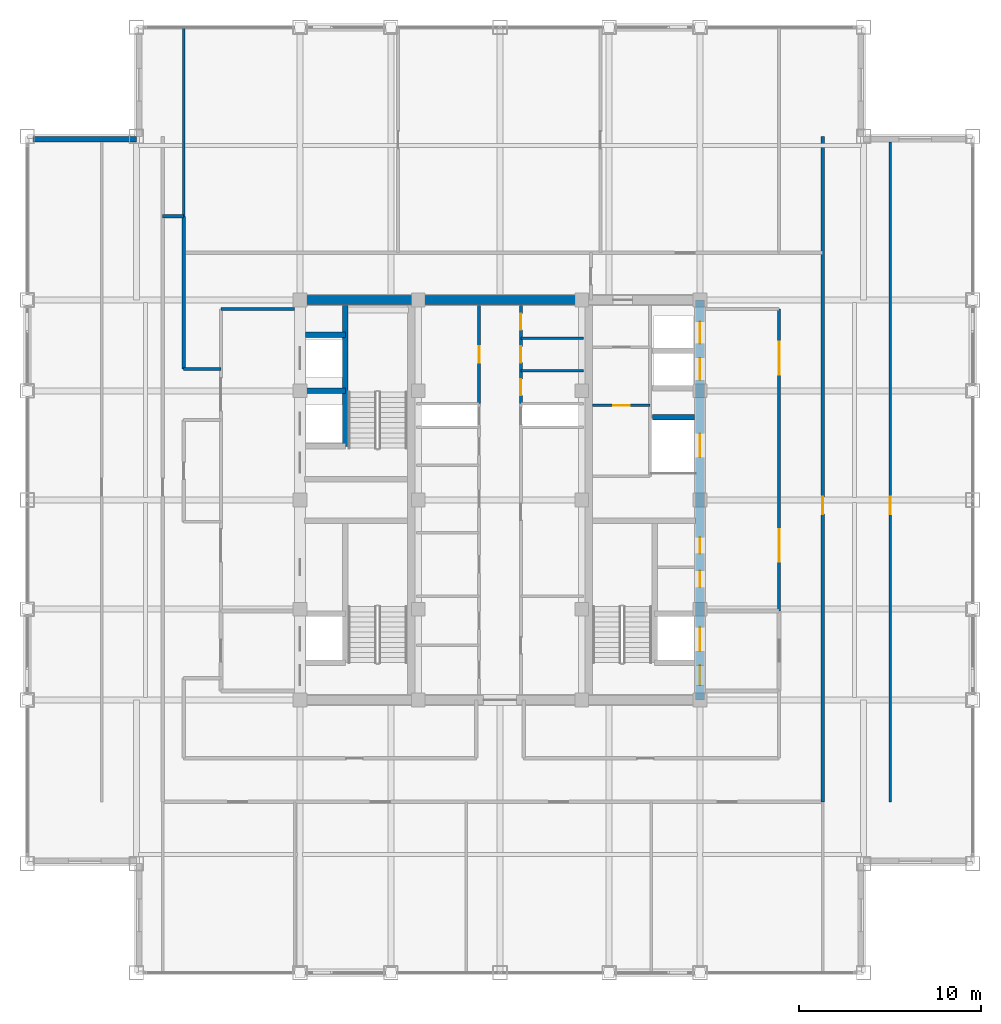
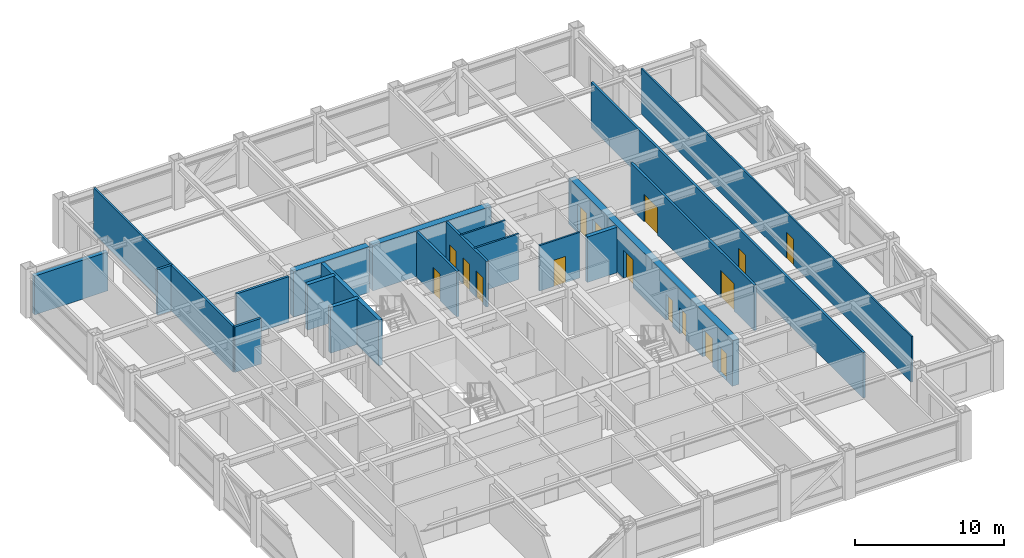
# One storey, part 26 of 28: 21 walls, 16 doors, 16 openings.
"""IFC4 building model written with IfcOpenShell, lengths in metres."""

from ifc_helpers import new_model, si_unit, direction, frame, frame_2d, origin, place, context, subcontext, project, spatial, rectangle, extrude, source, transform, mapped, material, layer, layer_set, type_object, element, fill, save


model = new_model("IFC4")

# Units and contexts
model_context = context("Model", 3, precision=1e-05, world=origin(), true_north=direction((0.0, 1.0)))
body_context = subcontext(model_context, "Body", "Model", "MODEL_VIEW")
ifc_project = project(units=[si_unit("LENGTHUNIT", "METRE"), si_unit("AREAUNIT", "SQUARE_METRE"), si_unit("VOLUMEUNIT", "CUBIC_METRE"), si_unit("PLANEANGLEUNIT", "RADIAN"), si_unit("MASSUNIT", "GRAM", prefix="KILO")], contexts=[model_context])

# Site, building, storey
site_placement = place(None, origin())
site = spatial("IfcSite", under=ifc_project, at=site_placement, CompositionType="ELEMENT")
building_placement = place(site_placement, origin())
building = spatial("IfcBuilding", under=site, at=building_placement, Name="Khorayat Bourse Tower", CompositionType="ELEMENT")
storey_placement = place(building_placement, frame((0.0, 0.0, 338.300048828125)))
storey = spatial("IfcBuildingStorey", under=building, at=storey_placement, Name="L80", CompositionType="ELEMENT", Elevation=338.300048828125)

# Wall, openings, doors
ifc_material_1 = material(Name="Concrete C52/65", Category="concrete")
ifc_layer_1 = layer(ifc_material_1, 0.5)
ifc_layer_set_1 = layer_set([ifc_layer_1], Name="Concrete C52/65")
wall_type_1 = type_object("IfcWallType", Name="WAL-CORE-500", PredefinedType="SHEAR", material=ifc_layer_set_1)
shared_shape_1 = source(origin(), body_context, "Body", "SweptSolid", [
    extrude(rectangle(XDim=22.0, YDim=0.5, at=frame_2d((11.0, 0.0))), origin(), (0.0, 0.0, 1.0), 3.739990234375),
])
wall_1_placement = place(storey_placement, frame((11.0, -11.0, 0.0), z_axis=(0.0, 0.0, 1.0), x_axis=(0.0, 1.0, 0.0)))
wall_1 = element("IfcWall", 1, at=wall_1_placement, inside=storey, type_object=wall_type_1, Name="L80 Core Shear Wall CORE-E", PredefinedType="SHEAR", context=body_context, shape_type="MappedRepresentation", body=[
    mapped(shared_shape_1, transform((0.0, 0.0, 0.0), scale=1.0)),
])
shared_shape_2 = source(origin(), body_context, "Body", "SweptSolid", [
    extrude(rectangle(XDim=1.10009765625, YDim=2.199951171875, at=frame_2d((0.550048828125, 1.10009765625))), frame((0.0, 0.260009765625, 0.0), z_axis=(0.0, -1.0, 0.0), x_axis=(1.0, 0.0, 0.0)), (0.0, 0.0, 1.0), 0.52001953125),
])
opening_1_placement = place(wall_1_placement, frame((0.800048828125, 0.0, 0.0)))
opening_1 = element("IfcOpeningElement", 2, at=opening_1_placement, cuts=wall_1, Name="Opening DI-01", PredefinedType="OPENING", context=body_context, shape_type="MappedRepresentation", body=[
    mapped(shared_shape_2, transform((0.0, 0.0, 0.0), scale=1.0)),
])
shared_shape_3 = source(origin(), body_context, "Body", "SweptSolid", [
    extrude(rectangle(XDim=0.89990234375, YDim=2.14990234375, at=frame_2d((0.449951171875, 1.074951171875))), frame((0.0, 0.260009765625, 0.0), z_axis=(0.0, -1.0, 0.0), x_axis=(1.0, 0.0, 0.0)), (0.0, 0.0, 1.0), 0.52001953125),
])
opening_2_placement = place(wall_1_placement, frame((6.199951171875, 0.0, 0.0)))
opening_2 = element("IfcOpeningElement", 3, at=opening_2_placement, cuts=wall_1, Name="Opening DI-06", PredefinedType="OPENING", context=body_context, shape_type="MappedRepresentation", body=[
    mapped(shared_shape_3, transform((0.0, 0.0, 0.0), scale=1.0)),
])
opening_3_placement = place(wall_1_placement, frame((8.050048828125, 0.0, 0.0)))
opening_3 = element("IfcOpeningElement", 4, at=opening_3_placement, cuts=wall_1, Name="Opening DI-06", PredefinedType="OPENING", context=body_context, shape_type="MappedRepresentation", body=[
    mapped(shared_shape_3, transform((0.0, 0.0, 0.0), scale=1.0)),
])
shared_shape_4 = source(origin(), body_context, "Body", "SweptSolid", [
    extrude(rectangle(XDim=1.199951171875, YDim=2.300048828125, at=frame_2d((0.60009765625, 1.14990234375))), frame((0.0, 0.260009765625, 0.0), z_axis=(0.0, -1.0, 0.0), x_axis=(1.0, 0.0, 0.0)), (0.0, 0.0, 1.0), 0.52001953125),
])
opening_4_placement = place(wall_1_placement, frame((17.60009765625, 0.0, 0.0)))
opening_4 = element("IfcOpeningElement", 5, at=opening_4_placement, cuts=wall_1, Name="Opening LD-01", PredefinedType="OPENING", context=body_context, shape_type="MappedRepresentation", body=[
    mapped(shared_shape_4, transform((0.0, 0.0, 0.0), scale=1.0)),
])
opening_5_placement = place(wall_1_placement, frame((19.60009765625, 0.0, 0.0)))
opening_5 = element("IfcOpeningElement", 6, at=opening_5_placement, cuts=wall_1, Name="Opening LD-01", PredefinedType="OPENING", context=body_context, shape_type="MappedRepresentation", body=[
    mapped(shared_shape_4, transform((0.0, 0.0, 0.0), scale=1.0)),
])
shared_shape_5 = source(origin(), body_context, "Body", "SweptSolid", [
    extrude(rectangle(XDim=1.300048828125, YDim=2.300048828125, at=frame_2d((0.64990234375, 1.14990234375))), frame((0.0, 0.260009765625, 0.0), z_axis=(0.0, -1.0, 0.0), x_axis=(1.0, 0.0, 0.0)), (0.0, 0.0, 1.0), 0.52001953125),
])
opening_6_placement = place(wall_1_placement, frame((2.699951171875, 0.0, 0.0)))
opening_6 = element("IfcOpeningElement", 7, at=opening_6_placement, cuts=wall_1, Name="Opening LD-02", PredefinedType="OPENING", context=body_context, shape_type="MappedRepresentation", body=[
    mapped(shared_shape_5, transform((0.0, 0.0, 0.0), scale=1.0)),
])
opening_7_placement = place(wall_1_placement, frame((13.35009765625, 0.0, 0.0)))
opening_7 = element("IfcOpeningElement", 8, at=opening_7_placement, cuts=wall_1, Name="Opening LD-02", PredefinedType="OPENING", context=body_context, shape_type="MappedRepresentation", body=[
    mapped(shared_shape_5, transform((0.0, 0.0, 0.0), scale=1.0)),
])
ifc_material_2 = material(Name="Fire-rated steel acoustic leaf", Category="steel")
door_type_1 = type_object("IfcDoorType", Name="DR-INT-STAIR-1100", OperationType="NOTDEFINED", PredefinedType="DOOR", material=ifc_material_2)
shared_shape_6 = source(origin(), body_context, "Body", "SweptSolid", [
    extrude(rectangle(XDim=1.10009765625, YDim=2.199951171875, at=frame_2d((0.550048828125, 1.10009765625))), frame((0.0, 0.02490234375, 0.0), z_axis=(0.0, -1.0, 0.0), x_axis=(1.0, 0.0, 0.0)), (0.0, 0.0, 1.0), 0.050048828125),
])
door_1_placement = place(opening_1_placement, origin())
door_1 = element("IfcDoor", 9, at=door_1_placement, inside=storey, type_object=door_type_1, Name="L80 Exit Stair 3 Door", OperationType="SINGLE_SWING_LEFT", OverallHeight=2.199951171875, OverallWidth=1.10009765625, PredefinedType="DOOR", context=body_context, shape_type="MappedRepresentation", body=[
    mapped(shared_shape_6, transform((0.0, 0.0, 0.0), scale=1.0)),
])
fill(opening_1, door_1)
ifc_material_3 = material(Name="Moisture-resistant laminate washroom door")
door_type_2 = type_object("IfcDoorType", Name="DR-INT-WC-900", OperationType="NOTDEFINED", PredefinedType="DOOR", material=ifc_material_3)
shared_shape_7 = source(origin(), body_context, "Body", "SweptSolid", [
    extrude(rectangle(XDim=0.89990234375, YDim=2.14990234375, at=frame_2d((0.449951171875, 1.074951171875))), frame((0.0, 0.02490234375, 0.0), z_axis=(0.0, -1.0, 0.0), x_axis=(1.0, 0.0, 0.0)), (0.0, 0.0, 1.0), 0.050048828125),
])
door_2_placement = place(opening_2_placement, origin())
door_2 = element("IfcDoor", 10, at=door_2_placement, inside=storey, type_object=door_type_2, Name="L80 Comms Closet Door", OperationType="SINGLE_SWING_LEFT", OverallHeight=2.14990234375, OverallWidth=0.89990234375, PredefinedType="DOOR", context=body_context, shape_type="MappedRepresentation", body=[
    mapped(shared_shape_7, transform((0.0, 0.0, 0.0), scale=1.0)),
])
fill(opening_2, door_2)
door_3_placement = place(opening_3_placement, origin())
door_3 = element("IfcDoor", 11, at=door_3_placement, inside=storey, type_object=door_type_2, Name="L80 Cleaner Store Door", OperationType="SINGLE_SWING_RIGHT", OverallHeight=2.14990234375, OverallWidth=0.89990234375, PredefinedType="DOOR", context=body_context, shape_type="MappedRepresentation", body=[
    mapped(shared_shape_7, transform((0.0, 0.0, 0.0), scale=1.0)),
])
fill(opening_3, door_3)
ifc_material_4 = material(Name="Brushed bronze stainless-steel sliding door", Category="steel")
door_type_3 = type_object("IfcDoorType", Name="DR-LIFT-PASS-1200", OperationType="NOTDEFINED", PredefinedType="DOOR", material=ifc_material_4)
shared_shape_8 = source(origin(), body_context, "Body", "SweptSolid", [
    extrude(rectangle(XDim=1.199951171875, YDim=2.300048828125, at=frame_2d((0.60009765625, 1.14990234375))), frame((0.0, 0.02490234375, 0.0), z_axis=(0.0, -1.0, 0.0), x_axis=(1.0, 0.0, 0.0)), (0.0, 0.0, 1.0), 0.050048828125),
])
door_4_placement = place(opening_4_placement, origin())
door_4 = element("IfcDoor", 12, at=door_4_placement, inside=storey, type_object=door_type_3, Name="L80 Lift PL-H3 Sliding Landing Door", OperationType="SLIDING_TO_LEFT", OverallHeight=2.300048828125, OverallWidth=1.199951171875, PredefinedType="DOOR", context=body_context, shape_type="MappedRepresentation", body=[
    mapped(shared_shape_8, transform((0.0, 0.0, 0.0), scale=1.0)),
])
fill(opening_4, door_4)
door_5_placement = place(opening_5_placement, origin())
door_5 = element("IfcDoor", 13, at=door_5_placement, inside=storey, type_object=door_type_3, Name="L80 Lift PL-H4 Sliding Landing Door", OperationType="SLIDING_TO_LEFT", OverallHeight=2.300048828125, OverallWidth=1.199951171875, PredefinedType="DOOR", context=body_context, shape_type="MappedRepresentation", body=[
    mapped(shared_shape_8, transform((0.0, 0.0, 0.0), scale=1.0)),
])
fill(opening_5, door_5)
ifc_material_5 = material(Name="Fire-rated stainless-steel sliding landing door", Category="steel")
door_type_4 = type_object("IfcDoorType", Name="DR-LIFT-FF-1300", OperationType="NOTDEFINED", PredefinedType="DOOR", material=ifc_material_5)
shared_shape_9 = source(origin(), body_context, "Body", "SweptSolid", [
    extrude(rectangle(XDim=1.300048828125, YDim=2.300048828125, at=frame_2d((0.64990234375, 1.14990234375))), frame((0.0, 0.02490234375, 0.0), z_axis=(0.0, -1.0, 0.0), x_axis=(1.0, 0.0, 0.0)), (0.0, 0.0, 1.0), 0.050048828125),
])
door_6_placement = place(opening_6_placement, origin())
door_6 = element("IfcDoor", 14, at=door_6_placement, inside=storey, type_object=door_type_4, Name="L80 Lift FFL-02 Sliding Landing Door", OperationType="SLIDING_TO_LEFT", OverallHeight=2.300048828125, OverallWidth=1.300048828125, PredefinedType="DOOR", context=body_context, shape_type="MappedRepresentation", body=[
    mapped(shared_shape_9, transform((0.0, 0.0, 0.0), scale=1.0)),
])
fill(opening_6, door_6)
door_7_placement = place(opening_7_placement, origin())
door_7 = element("IfcDoor", 15, at=door_7_placement, inside=storey, type_object=door_type_4, Name="L80 Lift SVL-01 Sliding Landing Door", OperationType="SLIDING_TO_LEFT", OverallHeight=2.300048828125, OverallWidth=1.300048828125, PredefinedType="DOOR", context=body_context, shape_type="MappedRepresentation", body=[
    mapped(shared_shape_9, transform((0.0, 0.0, 0.0), scale=1.0)),
])
fill(opening_7, door_7)

# Walls
shared_shape_10 = source(origin(), body_context, "Body", "SweptSolid", [
    extrude(rectangle(XDim=5.89990234375, YDim=0.5, at=frame_2d((2.949951171875, 0.0))), origin(), (0.0, 0.0, 1.0), 3.739990234375),
])
wall_2_placement = place(storey_placement, frame((-10.75, 11.0, 0.0), z_axis=(0.0, 0.0, 1.0), x_axis=(1.0, 0.0, 0.0)))
element("IfcWall", 16, at=wall_2_placement, inside=storey, type_object=wall_type_1, Name="L80 Core Shear Wall PIER-WN", PredefinedType="SHEAR", context=body_context, shape_type="MappedRepresentation", body=[
    mapped(shared_shape_10, transform((0.0, 0.0, 0.0), scale=1.0)),
])
shared_shape_11 = source(origin(), body_context, "Body", "SweptSolid", [
    extrude(rectangle(XDim=9.2001953125, YDim=0.5, at=frame_2d((4.60009765625, 0.0))), origin(), (0.0, 0.0, 1.0), 3.739990234375),
])
wall_3_placement = place(storey_placement, frame((-4.60009765625, 11.0, 0.0), z_axis=(0.0, 0.0, 1.0), x_axis=(1.0, 0.0, 0.0)))
element("IfcWall", 17, at=wall_3_placement, inside=storey, type_object=wall_type_1, Name="L80 Core Shear Wall CORE-N", PredefinedType="SHEAR", context=body_context, shape_type="MappedRepresentation", body=[
    mapped(shared_shape_11, transform((0.0, 0.0, 0.0), scale=1.0)),
])
ifc_material_6 = material(Name="Precast concrete C45/55", Category="concrete")
ifc_layer_2 = layer(ifc_material_6, 0.320068359375)
ifc_layer_set_2 = layer_set([ifc_layer_2], Name="Precast concrete C45/55")
wall_type_2 = type_object("IfcWallType", Name="WAL-EXT-STONE-320", PredefinedType="STANDARD", material=ifc_layer_set_2)
shared_shape_12 = source(origin(), body_context, "Body", "SweptSolid", [
    extrude(rectangle(XDim=5.679931640625, YDim=0.320068359375, at=frame_2d((2.83984375, 0.0))), origin(), (0.0, 0.0, 1.0), 3.19091796875),
])
wall_4_placement = place(storey_placement, frame((-20.0, 19.840087890625, 0.0), z_axis=(0.0, 0.0, 1.0), x_axis=(-1.0, 0.0, 0.0)))
element("IfcWall", 18, at=wall_4_placement, inside=storey, type_object=wall_type_2, Name="L80 Re-Entrant Notch Limestone Wall NW-H", PredefinedType="STANDARD", context=body_context, shape_type="MappedRepresentation", body=[
    mapped(shared_shape_12, transform((0.0, 0.0, 0.0), scale=1.0)),
])
ifc_material_7 = material(Name="Concrete C50/60", Category="concrete")
ifc_layer_3 = layer(ifc_material_7, 0.300048828125)
ifc_layer_set_3 = layer_set([ifc_layer_3], Name="Concrete C50/60")
wall_type_3 = type_object("IfcWallType", Name="WAL-SHAFT-300", PredefinedType="SHEAR", material=ifc_layer_set_3)
shared_shape_13 = source(origin(), body_context, "Body", "SweptSolid", [
    extrude(rectangle(XDim=2.199951171875, YDim=0.300048828125, at=frame_2d((1.10009765625, 0.0))), origin(), (0.0, 0.0, 1.0), 3.739990234375),
])
for number, where, z_axis, x_axis, name in (
    (19, (-10.699951171875, 6.0, 0.0), (0.0, 0.0, 1.0), (1.0, 0.0, 0.0), "L80 Partition WAL-L80-WPIER-H12"),
    (20, (-10.699951171875, 9.10009765625, 0.0), (0.0, 0.0, 1.0), (1.0, 0.0, 0.0), "L80 Partition WAL-L80-WPIER-H2N"),
):
    element("IfcWall", number, at=place(storey_placement, frame(where, z_axis=z_axis, x_axis=x_axis)), inside=storey, type_object=wall_type_3, Name=name, PredefinedType="SHEAR", context=body_context, shape_type="MappedRepresentation", body=[
        mapped(shared_shape_13, transform((0.0, 0.0, 0.0), scale=1.0)),
    ])
shared_shape_14 = source(origin(), body_context, "Body", "SweptSolid", [
    extrude(rectangle(XDim=7.75, YDim=0.300048828125, at=frame_2d((3.875, 0.0))), origin(), (0.0, 0.0, 1.0), 3.739990234375),
])
wall_5_placement = place(storey_placement, frame((-8.5, 2.949951171875, 0.0), z_axis=(0.0, 0.0, 1.0), x_axis=(0.0, 1.0, 0.0)))
element("IfcWall", 21, at=wall_5_placement, inside=storey, type_object=wall_type_3, Name="L80 Partition WAL-L80-WPIER-ST2S", PredefinedType="SHEAR", context=body_context, shape_type="MappedRepresentation", body=[
    mapped(shared_shape_14, transform((0.0, 0.0, 0.0), scale=1.0)),
])
shared_shape_15 = source(origin(), body_context, "Body", "SweptSolid", [
    extrude(rectangle(XDim=2.300048828125, YDim=0.300048828125, at=frame_2d((1.14990234375, 0.0))), origin(), (0.0, 0.0, 1.0), 3.739990234375),
])
wall_6_placement = place(storey_placement, frame((8.39990234375, 4.550048828125, 0.0), z_axis=(0.0, 0.0, 1.0), x_axis=(1.0, 0.0, 0.0)))
element("IfcWall", 22, at=wall_6_placement, inside=storey, type_object=wall_type_3, Name="L80 Partition WAL-L80-EPIER-SVLN", PredefinedType="SHEAR", context=body_context, shape_type="MappedRepresentation", body=[
    mapped(shared_shape_15, transform((0.0, 0.0, 0.0), scale=1.0)),
])

# Wall, opening, door
ifc_material_8 = material(Name="Moisture-resistant masonry partition", Category="masonry")
ifc_layer_4 = layer(ifc_material_8, 0.139892578125)
ifc_layer_set_4 = layer_set([ifc_layer_4], Name="Moisture-resistant masonry partition")
wall_type_4 = type_object("IfcWallType", Name="WAL-PART-WET-140", PredefinedType="PARTITIONING", material=ifc_layer_set_4)
shared_shape_16 = source(origin(), body_context, "Body", "SweptSolid", [
    extrude(rectangle(XDim=3.14990234375, YDim=0.139892578125, at=frame_2d((1.574951171875, 0.0))), origin(), (0.0, 0.0, 1.0), 3.739990234375),
])
wall_7_placement = place(storey_placement, frame((5.10009765625, 5.199951171875, 0.0), z_axis=(0.0, 0.0, 1.0), x_axis=(1.0, 0.0, 0.0)))
wall_7 = element("IfcWall", 23, at=wall_7_placement, inside=storey, type_object=wall_type_4, Name="L80 Partition WAL-L80-ECW-HZ", PredefinedType="PARTITIONING", context=body_context, shape_type="MappedRepresentation", body=[
    mapped(shared_shape_16, transform((0.0, 0.0, 0.0), scale=1.0)),
])
shared_shape_17 = source(origin(), body_context, "Body", "SweptSolid", [
    extrude(rectangle(XDim=0.89990234375, YDim=2.14990234375, at=frame_2d((0.449951171875, 1.074951171875))), frame((0.0, 0.079833984375, 0.0), z_axis=(0.0, -1.0, 0.0), x_axis=(1.0, 0.0, 0.0)), (0.0, 0.0, 1.0), 0.159912109375),
])
opening_8_placement = place(wall_7_placement, frame((1.1298828125, 0.0, 0.0)))
opening_8 = element("IfcOpeningElement", 24, at=opening_8_placement, cuts=wall_7, Name="Opening DI-06", PredefinedType="OPENING", context=body_context, shape_type="MappedRepresentation", body=[
    mapped(shared_shape_17, transform((0.0, 0.0, 0.0), scale=1.0)),
])
door_8_placement = place(opening_8_placement, origin())
door_8 = element("IfcDoor", 25, at=door_8_placement, inside=storey, type_object=door_type_2, Name="L80 Shared Washroom Door", OperationType="SINGLE_SWING_RIGHT", OverallHeight=2.14990234375, OverallWidth=0.89990234375, PredefinedType="DOOR", context=body_context, shape_type="MappedRepresentation", body=[
    mapped(shared_shape_7, transform((0.0, 0.0, 0.0), scale=1.0)),
])
fill(opening_8, door_8)

# Wall
ifc_material_9 = material(Name="Gypsum plasterboard acoustic stud wall")
ifc_layer_5 = layer(ifc_material_9, 0.179931640625)
ifc_layer_set_5 = layer_set([ifc_layer_5], Name="Gypsum plasterboard acoustic stud wall")
wall_type_5 = type_object("IfcWallType", Name="WAL-PART-CORR-180", PredefinedType="PARTITIONING", material=ifc_layer_set_5)
shared_shape_18 = source(origin(), body_context, "Body", "SweptSolid", [
    extrude(rectangle(XDim=4.050048828125, YDim=0.179931640625, at=frame_2d((2.02490234375, 0.0))), origin(), (0.0, 0.0, 1.0), 3.739990234375),
])
wall_8_placement = place(storey_placement, frame((-15.35009765625, 10.5, 0.0), z_axis=(0.0, 0.0, 1.0), x_axis=(1.0, 0.0, 0.0)))
element("IfcWall", 26, at=wall_8_placement, inside=storey, type_object=wall_type_5, Name="L80 Partition WAL-L80-WLOB-N", PredefinedType="PARTITIONING", context=body_context, shape_type="MappedRepresentation", body=[
    mapped(shared_shape_18, transform((0.0, 0.0, 0.0), scale=1.0)),
])

# Wall, openings, doors
shared_shape_19 = source(origin(), body_context, "Body", "SweptSolid", [
    extrude(rectangle(XDim=16.60009765625, YDim=0.179931640625, at=frame_2d((8.300048828125, 0.0))), origin(), (0.0, 0.0, 1.0), 3.739990234375),
])
wall_9_placement = place(storey_placement, frame((15.35009765625, -6.10009765625, 0.0), z_axis=(0.0, 0.0, 1.0), x_axis=(0.0, 1.0, 0.0)))
wall_9 = element("IfcWall", 27, at=wall_9_placement, inside=storey, type_object=wall_type_5, Name="L80 Partition WAL-L80-ELOB-E", PredefinedType="PARTITIONING", context=body_context, shape_type="MappedRepresentation", body=[
    mapped(shared_shape_19, transform((0.0, 0.0, 0.0), scale=1.0)),
])
shared_shape_20 = source(origin(), body_context, "Body", "SweptSolid", [
    extrude(rectangle(XDim=1.800048828125, YDim=2.25, at=frame_2d((0.89990234375, 1.125))), frame((0.0, 0.099853515625, 0.0), z_axis=(0.0, -1.0, 0.0), x_axis=(1.0, 0.0, 0.0)), (0.0, 0.0, 1.0), 0.199951171875),
])
opening_9_placement = place(wall_9_placement, frame((2.699951171875, 0.0, 0.0)))
opening_9 = element("IfcOpeningElement", 28, at=opening_9_placement, cuts=wall_9, Name="Opening DI-03", PredefinedType="OPENING", context=body_context, shape_type="MappedRepresentation", body=[
    mapped(shared_shape_20, transform((0.0, 0.0, 0.0), scale=1.0)),
])
opening_10_placement = place(wall_9_placement, frame((13.0, 0.0, 0.0)))
opening_10 = element("IfcOpeningElement", 29, at=opening_10_placement, cuts=wall_9, Name="Opening DI-03", PredefinedType="OPENING", context=body_context, shape_type="MappedRepresentation", body=[
    mapped(shared_shape_20, transform((0.0, 0.0, 0.0), scale=1.0)),
])
ifc_material_10 = material(Name="Fire-rated hardwood vision-panel double leaf", Category="wood")
door_type_5 = type_object("IfcDoorType", Name="DR-INT-CORR-1800", OperationType="NOTDEFINED", PredefinedType="DOOR", material=ifc_material_10)
shared_shape_21 = source(origin(), body_context, "Body", "SweptSolid", [
    extrude(rectangle(XDim=1.800048828125, YDim=2.25, at=frame_2d((0.89990234375, 1.125))), frame((0.0, 0.02490234375, 0.0), z_axis=(0.0, -1.0, 0.0), x_axis=(1.0, 0.0, 0.0)), (0.0, 0.0, 1.0), 0.050048828125),
])
door_9_placement = place(opening_9_placement, origin())
door_9 = element("IfcDoor", 30, at=door_9_placement, inside=storey, type_object=door_type_5, Name="L80 East Core Lobby South Door", OperationType="SINGLE_SWING_RIGHT", OverallHeight=2.25, OverallWidth=1.800048828125, PredefinedType="DOOR", context=body_context, shape_type="MappedRepresentation", body=[
    mapped(shared_shape_21, transform((0.0, 0.0, 0.0), scale=1.0)),
])
fill(opening_9, door_9)
door_10_placement = place(opening_10_placement, origin())
door_10 = element("IfcDoor", 31, at=door_10_placement, inside=storey, type_object=door_type_5, Name="L80 East Core Lobby North Door", OperationType="SINGLE_SWING_LEFT", OverallHeight=2.25, OverallWidth=1.800048828125, PredefinedType="DOOR", context=body_context, shape_type="MappedRepresentation", body=[
    mapped(shared_shape_21, transform((0.0, 0.0, 0.0), scale=1.0)),
])
fill(opening_10, door_10)

# Walls
shared_shape_22 = source(origin(), body_context, "Body", "SweptSolid", [
    extrude(rectangle(XDim=3.4501953125, YDim=0.139892578125, at=frame_2d((1.72509765625, 0.0))), origin(), (0.0, 0.0, 1.0), 3.739990234375),
])
for number, where, z_axis, x_axis, name in (
    (32, (1.14990234375, 7.10009765625, 0.0), (0.0, 0.0, 1.0), (1.0, 0.0, 0.0), "L80 Partition WAL-L80-FB2E-D1"),
    (33, (1.14990234375, 8.89990234375, 0.0), (0.0, 0.0, 1.0), (1.0, 0.0, 0.0), "L80 Partition WAL-L80-FB2E-D2"),
):
    element("IfcWall", number, at=place(storey_placement, frame(where, z_axis=z_axis, x_axis=x_axis)), inside=storey, type_object=wall_type_4, Name=name, PredefinedType="PARTITIONING", context=body_context, shape_type="MappedRepresentation", body=[
        mapped(shared_shape_22, transform((0.0, 0.0, 0.0), scale=1.0)),
    ])

# Wall, opening, door
shared_shape_23 = source(origin(), body_context, "Body", "SweptSolid", [
    extrude(rectangle(XDim=5.39990234375, YDim=0.179931640625, at=frame_2d((2.699951171875, 0.0))), origin(), (0.0, 0.0, 1.0), 3.739990234375),
])
wall_10_placement = place(storey_placement, frame((-1.14990234375, 5.300048828125, 0.0), z_axis=(0.0, 0.0, 1.0), x_axis=(0.0, 1.0, 0.0)))
wall_10 = element("IfcWall", 34, at=wall_10_placement, inside=storey, type_object=wall_type_5, Name="L80 Partition WAL-L80-FB2W-L", PredefinedType="PARTITIONING", context=body_context, shape_type="MappedRepresentation", body=[
    mapped(shared_shape_23, transform((0.0, 0.0, 0.0), scale=1.0)),
])
shared_shape_24 = source(origin(), body_context, "Body", "SweptSolid", [
    extrude(rectangle(XDim=0.89990234375, YDim=2.14990234375, at=frame_2d((0.449951171875, 1.074951171875))), frame((0.0, 0.099853515625, 0.0), z_axis=(0.0, -1.0, 0.0), x_axis=(1.0, 0.0, 0.0)), (0.0, 0.0, 1.0), 0.199951171875),
])
opening_11_placement = place(wall_10_placement, frame((2.25, 0.0, 0.0)))
opening_11 = element("IfcOpeningElement", 35, at=opening_11_placement, cuts=wall_10, Name="Opening DI-06", PredefinedType="OPENING", context=body_context, shape_type="MappedRepresentation", body=[
    mapped(shared_shape_24, transform((0.0, 0.0, 0.0), scale=1.0)),
])
door_11_placement = place(opening_11_placement, origin())
door_11 = element("IfcDoor", 36, at=door_11_placement, inside=storey, type_object=door_type_2, Name="L80 Executive Archive Vault Door", OperationType="SINGLE_SWING_RIGHT", OverallHeight=2.14990234375, OverallWidth=0.89990234375, PredefinedType="DOOR", context=body_context, shape_type="MappedRepresentation", body=[
    mapped(shared_shape_7, transform((0.0, 0.0, 0.0), scale=1.0)),
])
fill(opening_11, door_11)

# Wall, openings, doors
wall_11_placement = place(storey_placement, frame((1.14990234375, 5.300048828125, 0.0), z_axis=(0.0, 0.0, 1.0), x_axis=(0.0, 1.0, 0.0)))
wall_11 = element("IfcWall", 37, at=wall_11_placement, inside=storey, type_object=wall_type_5, Name="L80 Partition WAL-L80-FB2E-L", PredefinedType="PARTITIONING", context=body_context, shape_type="MappedRepresentation", body=[
    mapped(shared_shape_23, transform((0.0, 0.0, 0.0), scale=1.0)),
])
opening_12_placement = place(wall_11_placement, frame((0.449951171875, 0.0, 0.0)))
opening_12 = element("IfcOpeningElement", 38, at=opening_12_placement, cuts=wall_11, Name="Opening DI-06", PredefinedType="OPENING", context=body_context, shape_type="MappedRepresentation", body=[
    mapped(shared_shape_24, transform((0.0, 0.0, 0.0), scale=1.0)),
])
opening_13_placement = place(wall_11_placement, frame((2.25, 0.0, 0.0)))
opening_13 = element("IfcOpeningElement", 39, at=opening_13_placement, cuts=wall_11, Name="Opening DI-06", PredefinedType="OPENING", context=body_context, shape_type="MappedRepresentation", body=[
    mapped(shared_shape_24, transform((0.0, 0.0, 0.0), scale=1.0)),
])
opening_14_placement = place(wall_11_placement, frame((4.050048828125, 0.0, 0.0)))
opening_14 = element("IfcOpeningElement", 40, at=opening_14_placement, cuts=wall_11, Name="Opening DI-06", PredefinedType="OPENING", context=body_context, shape_type="MappedRepresentation", body=[
    mapped(shared_shape_24, transform((0.0, 0.0, 0.0), scale=1.0)),
])
door_12_placement = place(opening_12_placement, origin())
door_12 = element("IfcDoor", 41, at=door_12_placement, inside=storey, type_object=door_type_2, Name="L80 Facility Store A Door", OperationType="SINGLE_SWING_RIGHT", OverallHeight=2.14990234375, OverallWidth=0.89990234375, PredefinedType="DOOR", context=body_context, shape_type="MappedRepresentation", body=[
    mapped(shared_shape_7, transform((0.0, 0.0, 0.0), scale=1.0)),
])
fill(opening_12, door_12)
door_13_placement = place(opening_13_placement, origin())
door_13 = element("IfcDoor", 42, at=door_13_placement, inside=storey, type_object=door_type_2, Name="L80 BMS Closet Door", OperationType="SINGLE_SWING_LEFT", OverallHeight=2.14990234375, OverallWidth=0.89990234375, PredefinedType="DOOR", context=body_context, shape_type="MappedRepresentation", body=[
    mapped(shared_shape_7, transform((0.0, 0.0, 0.0), scale=1.0)),
])
fill(opening_13, door_13)
door_14_placement = place(opening_14_placement, origin())
door_14 = element("IfcDoor", 43, at=door_14_placement, inside=storey, type_object=door_type_2, Name="L80 Facility Store B Door", OperationType="SINGLE_SWING_RIGHT", OverallHeight=2.14990234375, OverallWidth=0.89990234375, PredefinedType="DOOR", context=body_context, shape_type="MappedRepresentation", body=[
    mapped(shared_shape_7, transform((0.0, 0.0, 0.0), scale=1.0)),
])
fill(opening_14, door_14)

# Walls
shared_shape_25 = source(origin(), body_context, "Body", "SweptSolid", [
    extrude(rectangle(XDim=2.0498046875, YDim=0.179931640625, at=frame_2d((1.02490234375, 0.0))), origin(), (0.0, 0.0, 1.0), 3.739990234375),
])
wall_12_placement = place(storey_placement, frame((-17.39990234375, 7.199951171875, 0.0), z_axis=(0.0, 0.0, 1.0), x_axis=(1.0, 0.0, 0.0)))
element("IfcWall", 44, at=wall_12_placement, inside=storey, type_object=wall_type_5, Name="L80 Partition WAL-L80-THRWN-T", PredefinedType="PARTITIONING", context=body_context, shape_type="MappedRepresentation", body=[
    mapped(shared_shape_25, transform((0.0, 0.0, 0.0), scale=1.0)),
])
shared_shape_26 = source(origin(), body_context, "Body", "SweptSolid", [
    extrude(rectangle(XDim=8.400146484375, YDim=0.179931640625, at=frame_2d((4.2001953125, 0.0))), origin(), (0.0, 0.0, 1.0), 3.739990234375),
])
wall_13_placement = place(storey_placement, frame((-17.39990234375, 7.199951171875, 0.0), z_axis=(0.0, 0.0, 1.0), x_axis=(0.0, 1.0, 0.0)))
element("IfcWall", 45, at=wall_13_placement, inside=storey, type_object=wall_type_5, Name="L80 Partition WAL-L80-THRWN-N", PredefinedType="PARTITIONING", context=body_context, shape_type="MappedRepresentation", body=[
    mapped(shared_shape_26, transform((0.0, 0.0, 0.0), scale=1.0)),
])
shared_shape_27 = source(origin(), body_context, "Body", "SweptSolid", [
    extrude(rectangle(XDim=1.150146484375, YDim=0.179931640625, at=frame_2d((0.5751953125, 0.0))), origin(), (0.0, 0.0, 1.0), 3.739990234375),
])
wall_14_placement = place(storey_placement, frame((-18.550048828125, 15.60009765625, 0.0), z_axis=(0.0, 0.0, 1.0), x_axis=(1.0, 0.0, 0.0)))
element("IfcWall", 46, at=wall_14_placement, inside=storey, type_object=wall_type_5, Name="L80 Partition WAL-L80-GALW-N", PredefinedType="PARTITIONING", context=body_context, shape_type="MappedRepresentation", body=[
    mapped(shared_shape_27, transform((0.0, 0.0, 0.0), scale=1.0)),
])

# Wall, opening, door
ifc_material_11 = material(Name="Gypsum plasterboard partition")
ifc_layer_6 = layer(ifc_material_11, 0.125)
ifc_layer_set_6 = layer_set([ifc_layer_6], Name="Gypsum plasterboard partition")
wall_type_6 = type_object("IfcWallType", Name="WAL-PART-ROOM-125", PredefinedType="PARTITIONING", material=ifc_layer_set_6)
shared_shape_28 = source(origin(), body_context, "Body", "SweptSolid", [
    extrude(rectangle(XDim=36.300048828125, YDim=0.125, at=frame_2d((18.14990234375, 0.0))), origin(), (0.0, 0.0, 1.0), 3.739990234375),
])
wall_15_placement = place(storey_placement, frame((21.46240234375, -16.60009765625, 0.0), z_axis=(0.0, 0.0, 1.0), x_axis=(0.0, 1.0, 0.0)))
wall_15 = element("IfcWall", 47, at=wall_15_placement, inside=storey, type_object=wall_type_6, Name="L80 Partition WAL-L80-EDP-1", PredefinedType="PARTITIONING", context=body_context, shape_type="MappedRepresentation", body=[
    mapped(shared_shape_28, transform((0.0, 0.0, 0.0), scale=1.0)),
])
shared_shape_29 = source(origin(), body_context, "Body", "SweptSolid", [
    extrude(rectangle(XDim=0.949951171875, YDim=2.14990234375, at=frame_2d((0.47509765625, 1.074951171875))), frame((0.0, 0.072509765625, 0.0), z_axis=(0.0, -1.0, 0.0), x_axis=(1.0, 0.0, 0.0)), (0.0, 0.0, 1.0), 0.14501953125),
])
opening_15_placement = place(wall_15_placement, frame((15.824951171875, 0.0, 0.0)))
opening_15 = element("IfcOpeningElement", 48, at=opening_15_placement, cuts=wall_15, Name="Opening DI-05", PredefinedType="OPENING", context=body_context, shape_type="MappedRepresentation", body=[
    mapped(shared_shape_29, transform((0.0, 0.0, 0.0), scale=1.0)),
])
ifc_material_12 = material(Name="Acoustic oak veneer office door")
door_type_6 = type_object("IfcDoorType", Name="DR-INT-OFFICE-950", OperationType="NOTDEFINED", PredefinedType="DOOR", material=ifc_material_12)
shared_shape_30 = source(origin(), body_context, "Body", "SweptSolid", [
    extrude(rectangle(XDim=0.949951171875, YDim=2.14990234375, at=frame_2d((0.47509765625, 1.074951171875))), frame((0.0, 0.02490234375, 0.0), z_axis=(0.0, -1.0, 0.0), x_axis=(1.0, 0.0, 0.0)), (0.0, 0.0, 1.0), 0.050048828125),
])
door_15_placement = place(opening_15_placement, origin())
door_15 = element("IfcDoor", 49, at=door_15_placement, inside=storey, type_object=door_type_6, Name="L80 Clearing Records Archive Store E1B Door", OperationType="SINGLE_SWING_RIGHT", OverallHeight=2.14990234375, OverallWidth=0.949951171875, PredefinedType="DOOR", context=body_context, shape_type="MappedRepresentation", body=[
    mapped(shared_shape_30, transform((0.0, 0.0, 0.0), scale=1.0)),
])
fill(opening_15, door_15)

# Wall
ifc_material_13 = material(Name="Gypsum plasterboard twin-frame partition")
ifc_layer_7 = layer(ifc_material_13, 0.14990234375)
ifc_layer_set_7 = layer_set([ifc_layer_7], Name="Gypsum plasterboard twin-frame partition")
wall_type_7 = type_object("IfcWallType", Name="WAL-PART-SUITE-150", PredefinedType="PARTITIONING", material=ifc_layer_set_7)
shared_shape_31 = source(origin(), body_context, "Body", "SweptSolid", [
    extrude(rectangle(XDim=10.39990234375, YDim=0.14990234375, at=frame_2d((5.199951171875, 0.0))), origin(), (0.0, 0.0, 1.0), 3.739990234375),
])
wall_16_placement = place(storey_placement, frame((-17.39990234375, 15.60009765625, 0.0), z_axis=(0.0, 0.0, 1.0), x_axis=(0.0, 1.0, 0.0)))
element("IfcWall", 50, at=wall_16_placement, inside=storey, type_object=wall_type_7, Name="L80 Partition WAL-L80-NCW-END", PredefinedType="PARTITIONING", context=body_context, shape_type="MappedRepresentation", body=[
    mapped(shared_shape_31, transform((0.0, 0.0, 0.0), scale=1.0)),
])

# Wall, opening, door
shared_shape_32 = source(origin(), body_context, "Body", "SweptSolid", [
    extrude(rectangle(XDim=36.60009765625, YDim=0.179931640625, at=frame_2d((18.300048828125, 0.0))), origin(), (0.0, 0.0, 1.0), 3.739990234375),
])
wall_17_placement = place(storey_placement, frame((17.75, -16.60009765625, 0.0), z_axis=(0.0, 0.0, 1.0), x_axis=(0.0, 1.0, 0.0)))
wall_17 = element("IfcWall", 51, at=wall_17_placement, inside=storey, type_object=wall_type_5, Name="L80 Partition WAL-L80-ECORR", PredefinedType="PARTITIONING", context=body_context, shape_type="MappedRepresentation", body=[
    mapped(shared_shape_32, transform((0.0, 0.0, 0.0), scale=1.0)),
])
shared_shape_33 = source(origin(), body_context, "Body", "SweptSolid", [
    extrude(rectangle(XDim=0.949951171875, YDim=2.14990234375, at=frame_2d((0.47509765625, 1.074951171875))), frame((0.0, 0.099853515625, 0.0), z_axis=(0.0, -1.0, 0.0), x_axis=(1.0, 0.0, 0.0)), (0.0, 0.0, 1.0), 0.199951171875),
])
opening_16_placement = place(wall_17_placement, frame((15.824951171875, 0.0, 0.0)))
opening_16 = element("IfcOpeningElement", 52, at=opening_16_placement, cuts=wall_17, Name="Opening DI-05", PredefinedType="OPENING", context=body_context, shape_type="MappedRepresentation", body=[
    mapped(shared_shape_33, transform((0.0, 0.0, 0.0), scale=1.0)),
])
door_16_placement = place(opening_16_placement, origin())
door_16 = element("IfcDoor", 53, at=door_16_placement, inside=storey, type_object=door_type_6, Name="L80 Market Committee Conference Room E1 Door", OperationType="SINGLE_SWING_RIGHT", OverallHeight=2.14990234375, OverallWidth=0.949951171875, PredefinedType="DOOR", context=body_context, shape_type="MappedRepresentation", body=[
    mapped(shared_shape_30, transform((0.0, 0.0, 0.0), scale=1.0)),
])
fill(opening_16, door_16)

save(model, "model.ifc")
